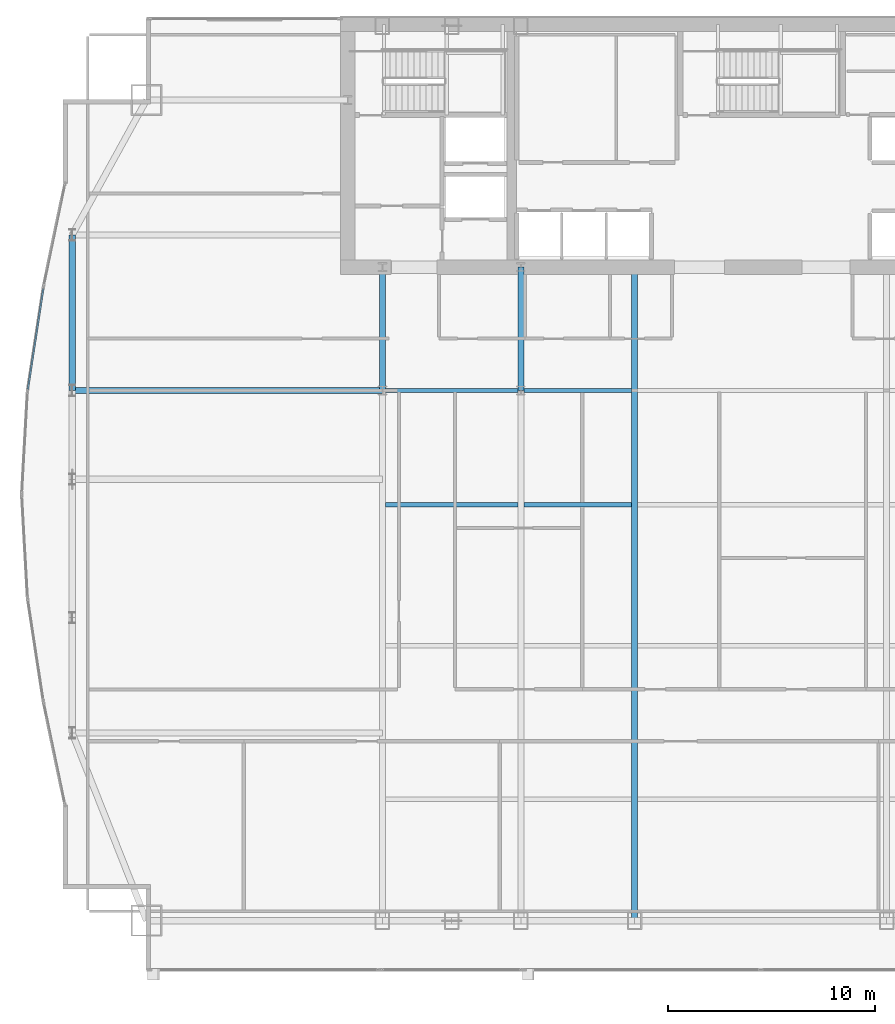
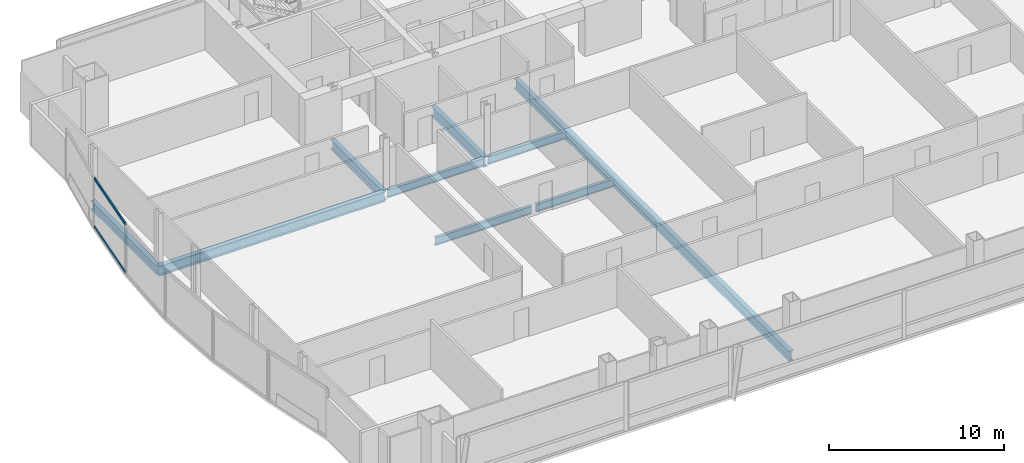
# One storey, part 12 of 33: 9 beams, 2 members, 1 element without a shape of its own.
"""IFC4 building model written with IfcOpenShell, lengths in metres."""

from ifc_helpers import new_model, si_unit, direction, frame, origin, origin_2d, place, context, subcontext, project, spatial, hollow_rectangle, i_section, extrude, material, material_profile, profile_set, type_object, element, aggregate, save


model = new_model("IFC4")

# Units and contexts
model_context = context("Model", 3, precision=1e-05, world=origin(), true_north=direction((0.0, 1.0)))
body_context = subcontext(model_context, "Body", "Model", "MODEL_VIEW")
ifc_project = project(units=[si_unit("LENGTHUNIT", "METRE"), si_unit("AREAUNIT", "SQUARE_METRE"), si_unit("VOLUMEUNIT", "CUBIC_METRE"), si_unit("PLANEANGLEUNIT", "RADIAN"), si_unit("MASSUNIT", "GRAM", prefix="KILO")], contexts=[model_context])

# Site, building, storey
site_placement = place(None, origin())
site = spatial("IfcSite", under=ifc_project, at=site_placement, CompositionType="ELEMENT")
building_placement = place(site_placement, origin())
building = spatial("IfcBuilding", under=site, at=building_placement, Name="Khoronbel Lancet Exchange", CompositionType="ELEMENT")
storey_placement = place(building_placement, frame((0.0, 0.0, 114.60009765625)))
storey = spatial("IfcBuildingStorey", under=building, at=storey_placement, Name="L27", CompositionType="ELEMENT", Elevation=114.60009765625)

# Beams
ifc_material_1 = material(Name="Steel S355", Category="steel")
ifc_material_profile_1 = material_profile(ifc_material_1, i_section(OverallWidth=0.300048828125, OverallDepth=0.699951171875, WebThickness=0.01708984375, FlangeThickness=0.031982421875, at=origin_2d()), Name="HEB 700")
ifc_profile_set_1 = profile_set([ifc_material_profile_1], Name="Steel S355")
beam_type_1 = type_object("IfcBeamType", Name="BM-BG3", PredefinedType="BEAM", material=ifc_profile_set_1)
for number, where, z_axis, x_axis, name in (
    (1, (18.22509765625, 35.699951171875, -0.510009765625), (0.0, 1.0, 0.0), (-1.0, 0.0, 0.0), "Level L27 spine tie girder GN1"),
    (2, (24.89990234375, 35.699951171875, -0.510009765625), (0.0, 1.0, 0.0), (-1.0, 0.0, 0.0), "Level L27 spine tie girder GN2"),
):
    element("IfcBeam", number, at=place(storey_placement, frame(where, z_axis=z_axis, x_axis=x_axis)), inside=storey, type_object=beam_type_1, Name=name, PredefinedType="BEAM", context=body_context, shape_type="SweptSolid", body=[
        extrude(i_section(OverallWidth=0.300048828125, OverallDepth=0.699951171875, WebThickness=0.01708984375, FlangeThickness=0.031982421875, at=origin_2d()), origin(), (0.0, 0.0, 1.0), 5.949951171875),
    ])
beam_1_placement = place(storey_placement, frame((30.375, 10.14990234375, -0.510009765625), z_axis=(0.0, 1.0, 0.0), x_axis=(-1.0, 0.0, 0.0)))
element("IfcBeam", 3, at=beam_1_placement, inside=storey, type_object=beam_type_1, Name="Level L27 primary floor girder G3", PredefinedType="BEAM", context=body_context, shape_type="SweptSolid", body=[
    extrude(i_section(OverallWidth=0.300048828125, OverallDepth=0.699951171875, WebThickness=0.01708984375, FlangeThickness=0.031982421875, at=origin_2d()), origin(), (0.0, 0.0, 1.0), 31.5),
])
beam_2_placement = place(storey_placement, frame((3.27001953125, 35.699951171875, -0.510009765625), z_axis=(1.0, 0.0, 0.0), x_axis=(0.0, 1.0, 0.0)))
element("IfcBeam", 4, at=beam_2_placement, inside=storey, type_object=beam_type_1, Name="Level L27 west lens tie girder LG4W", PredefinedType="BEAM", context=body_context, shape_type="SweptSolid", body=[
    extrude(i_section(OverallWidth=0.300048828125, OverallDepth=0.699951171875, WebThickness=0.01708984375, FlangeThickness=0.031982421875, at=origin_2d()), origin(), (0.0, 0.0, 1.0), 14.955078125),
])
ifc_material_profile_2 = material_profile(ifc_material_1, i_section(OverallWidth=0.2099609375, OverallDepth=0.550048828125, WebThickness=0.010986328125, FlangeThickness=0.01708984375, at=origin_2d()), Name="IPE 550")
ifc_profile_set_2 = profile_set([ifc_material_profile_2], Name="Steel S355")
beam_type_2 = type_object("IfcBeamType", Name="BM-BJ2", PredefinedType="JOIST", material=ifc_profile_set_2)
beam_3_placement = place(storey_placement, frame((18.375, 30.199951171875, -0.43505859375), z_axis=(1.0, 0.0, 0.0), x_axis=(0.0, 1.0, 0.0)))
element("IfcBeam", 5, at=beam_3_placement, inside=storey, type_object=beam_type_2, Name="Level L27 secondary composite joist J11", PredefinedType="JOIST", context=body_context, shape_type="SweptSolid", body=[
    extrude(i_section(OverallWidth=0.2099609375, OverallDepth=0.550048828125, WebThickness=0.010986328125, FlangeThickness=0.01708984375, at=origin_2d()), origin(), (0.0, 0.0, 1.0), 6.375),
])
beam_4_placement = place(storey_placement, frame((25.050048828125, 30.199951171875, -0.43505859375), z_axis=(1.0, 0.0, 0.0), x_axis=(0.0, 1.0, 0.0)))
element("IfcBeam", 6, at=beam_4_placement, inside=storey, type_object=beam_type_2, Name="Level L27 secondary composite joist J12", PredefinedType="JOIST", context=body_context, shape_type="SweptSolid", body=[
    extrude(i_section(OverallWidth=0.2099609375, OverallDepth=0.550048828125, WebThickness=0.010986328125, FlangeThickness=0.01708984375, at=origin_2d()), origin(), (0.0, 0.0, 1.0), 5.175048828125),
])
beam_5_placement = place(storey_placement, frame((18.375, 35.699951171875, -0.43505859375), z_axis=(1.0, 0.0, 0.0), x_axis=(0.0, 1.0, 0.0)))
element("IfcBeam", 7, at=beam_5_placement, inside=storey, type_object=beam_type_2, Name="Level L27 secondary composite joist J16", PredefinedType="JOIST", context=body_context, shape_type="SweptSolid", body=[
    extrude(i_section(OverallWidth=0.2099609375, OverallDepth=0.550048828125, WebThickness=0.010986328125, FlangeThickness=0.01708984375, at=origin_2d()), origin(), (0.0, 0.0, 1.0), 6.375),
])
beam_6_placement = place(storey_placement, frame((25.050048828125, 35.699951171875, -0.43505859375), z_axis=(1.0, 0.0, 0.0), x_axis=(0.0, 1.0, 0.0)))
element("IfcBeam", 8, at=beam_6_placement, inside=storey, type_object=beam_type_2, Name="Level L27 secondary composite joist J17", PredefinedType="JOIST", context=body_context, shape_type="SweptSolid", body=[
    extrude(i_section(OverallWidth=0.2099609375, OverallDepth=0.550048828125, WebThickness=0.010986328125, FlangeThickness=0.01708984375, at=origin_2d()), origin(), (0.0, 0.0, 1.0), 5.175048828125),
])
ifc_material_profile_3 = material_profile(ifc_material_1, i_section(OverallWidth=0.300048828125, OverallDepth=0.60009765625, WebThickness=0.015380859375, FlangeThickness=0.030029296875, at=origin_2d()), Name="HEB 600")
ifc_profile_set_3 = profile_set([ifc_material_profile_3], Name="Steel S355")
beam_type_3 = type_object("IfcBeamType", Name="BM-BSP2", PredefinedType="SPANDREL", material=ifc_profile_set_3)
beam_7_placement = place(storey_placement, frame((3.27001953125, 43.199951171875, -0.460205078125), z_axis=(0.0, -1.0, 0.0), x_axis=(1.0, 0.0, 0.0)))
element("IfcBeam", 9, at=beam_7_placement, inside=storey, type_object=beam_type_3, Name="Level L27 perimeter spandrel beam SP17", PredefinedType="SPANDREL", context=body_context, shape_type="SweptSolid", body=[
    extrude(i_section(OverallWidth=0.300048828125, OverallDepth=0.60009765625, WebThickness=0.015380859375, FlangeThickness=0.030029296875, at=origin_2d()), origin(), (0.0, 0.0, 1.0), 7.5),
])

# Curtain wall, members
ifc_material_2 = material(Name="Low-E Solar Control Insulating Glass", Category="glass")
curtain_wall_type = type_object("IfcCurtainWallType", Name="CW-4", PredefinedType="NOTDEFINED", material=ifc_material_2)
curtain_wall_placement = place(storey_placement, origin())
curtain_wall = element("IfcCurtainWall", 10, at=curtain_wall_placement, inside=storey, type_object=curtain_wall_type, Name="Unitised curtain wall CW-L27-E08", PredefinedType="NOTDEFINED")
ifc_material_3 = material(Name="Bronze-Anodised Aluminium 6063-T6", Category="aluminium")
ifc_material_profile_4 = material_profile(ifc_material_3, hollow_rectangle(XDim=0.0849609375, YDim=0.179931640625, WallThickness=0.0048828125, at=origin_2d()), Name="ALU TRANSOM 85x180")
ifc_profile_set_4 = profile_set([ifc_material_profile_4], Name="Bronze-Anodised Aluminium 6063-T6")
member_type = type_object("IfcMemberType", Name="MEM-CWT1", PredefinedType="USERDEFINED", material=ifc_profile_set_4)
member_1_placement = place(storey_placement, frame((1.1376953125, 35.7646484375, 0.04248046875), z_axis=(0.151510731324, 0.988455612708, 0.0), x_axis=(-0.988455612708, 0.151510731324, 0.0)))
member_1 = element("IfcMember", 11, at=member_1_placement, type_object=member_type, Name="CW4 transom 1.1", ObjectType="TRANSOM", PredefinedType="USERDEFINED", context=body_context, shape_type="SweptSolid", body=[
    extrude(hollow_rectangle(XDim=0.0849609375, YDim=0.179931640625, WallThickness=0.0048828125, at=origin_2d()), origin(), (0.0, 0.0, 1.0), 4.90185546875),
])
member_2_placement = place(storey_placement, frame((1.1376953125, 35.7646484375, 3.3974609375), z_axis=(0.151510731324, 0.988455612708, 0.0), x_axis=(-0.988455612708, 0.151510731324, 0.0)))
member_2 = element("IfcMember", 12, at=member_2_placement, type_object=member_type, Name="CW4 transom 1.2", ObjectType="TRANSOM", PredefinedType="USERDEFINED", context=body_context, shape_type="SweptSolid", body=[
    extrude(hollow_rectangle(XDim=0.0849609375, YDim=0.179931640625, WallThickness=0.0048828125, at=origin_2d()), origin(), (0.0, 0.0, 1.0), 4.90185546875),
])
aggregate(curtain_wall, [member_1, member_2])

save(model, "model.ifc")
